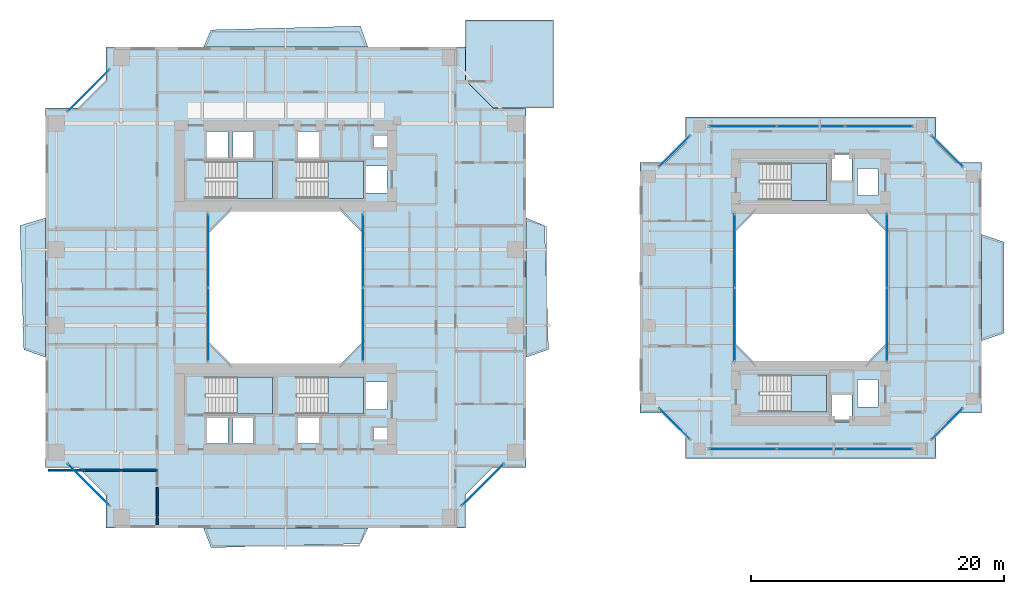
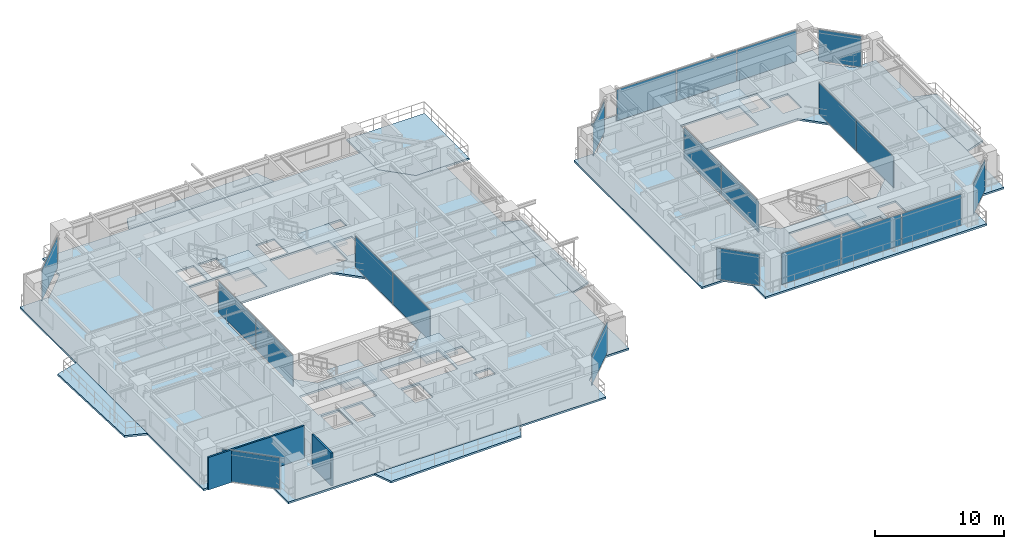
# One storey, part 11 of 23: 21 plates, 14 slabs, 2 walls, 19 elements without a shape of their own.
"""IFC4 building model written with IfcOpenShell, lengths in metres."""

from ifc_helpers import new_model, si_unit, direction, frame, frame_2d, origin, origin_2d, place, context, subcontext, project, spatial, polyline, rectangle, outline, extrude, source, transform, mapped, material, layer, layer_set, type_object, element, aggregate, save


model = new_model("IFC4")

# Units and contexts
model_context = context("Model", 3, precision=1e-05, world=origin(), true_north=direction((0.0, 1.0)))
body_context = subcontext(model_context, "Body", "Model", "MODEL_VIEW")
ifc_project = project(units=[si_unit("LENGTHUNIT", "METRE"), si_unit("AREAUNIT", "SQUARE_METRE"), si_unit("VOLUMEUNIT", "CUBIC_METRE"), si_unit("PLANEANGLEUNIT", "RADIAN"), si_unit("MASSUNIT", "GRAM", prefix="KILO"), si_unit("THERMODYNAMICTEMPERATUREUNIT", "KELVIN"), si_unit("POWERUNIT", "WATT")], contexts=[model_context])

# Site, building, storey
site_placement = place(None, origin())
site = spatial("IfcSite", under=ifc_project, at=site_placement, CompositionType="ELEMENT")
building_placement = place(site_placement, origin())
building = spatial("IfcBuilding", under=site, at=building_placement, Name="Qiaomeng Ring Towers", CompositionType="ELEMENT")
storey_placement = place(building_placement, frame((0.0, 0.0, 32.75)))
storey = spatial("IfcBuildingStorey", under=building, at=storey_placement, Name="L08", CompositionType="ELEMENT", Elevation=32.75)

# Slabs
ifc_material_1 = material(Name="Concrete C40", Category="concrete")
ifc_layer_1 = layer(ifc_material_1, 0.179931640625, Name="Concrete C40")
ifc_layer_set_1 = layer_set([ifc_layer_1], Name="Concrete C40")
slab_type_1 = type_object("IfcSlabType", Name="STR-SL-180", PredefinedType="FLOOR", material=ifc_layer_set_1)
slab_1_placement = place(storey_placement, frame((0.0, 0.0, -0.179931640625)))
element("IfcSlab", 1, at=slab_1_placement, inside=storey, type_object=slab_type_1, Name="L08 Tower 1 Annular Floor Slab", PredefinedType="FLOOR", context=body_context, shape_type="SweptSolid", body=[
    extrude(outline(polyline([(4.800048828125, 4.0), (33.199951171875, 4.0), (33.199951171875, 6.60009765625), (35.39990234375, 8.800048828125), (38.0, 8.800048828125), (38.0, 37.199951171875), (35.39990234375, 37.199951171875), (33.199951171875, 39.39990234375), (33.199951171875, 42.0), (4.800048828125, 42.0), (4.800048828125, 39.39990234375), (2.60009765625, 37.199951171875), (0.0, 37.199951171875), (0.0, 8.800048828125), (2.60009765625, 8.800048828125), (4.800048828125, 6.60009765625), (4.800048828125, 4.0)]), holes=[polyline([(12.780029296875, 10.679931640625), (12.780029296875, 12.820068359375), (14.419921875, 12.820068359375), (14.419921875, 10.679931640625), (12.780029296875, 10.679931640625)]), polyline([(14.830078125, 12.820068359375), (16.469970703125, 12.820068359375), (16.469970703125, 10.679931640625), (14.830078125, 10.679931640625), (14.830078125, 12.820068359375)]), polyline([(12.679931640625, 15.949951171875), (17.949951171875, 15.949951171875), (17.949951171875, 13.010009765625), (12.679931640625, 13.010009765625), (12.679931640625, 15.949951171875)]), polyline([(25.199951171875, 27.199951171875), (25.199951171875, 18.800048828125), (23.199951171875, 16.800048828125), (14.800048828125, 16.800048828125), (12.800048828125, 18.800048828125), (12.800048828125, 27.199951171875), (14.800048828125, 29.199951171875), (23.199951171875, 29.199951171875), (25.199951171875, 27.199951171875)]), polyline([(12.679931640625, 32.989990234375), (17.949951171875, 32.989990234375), (17.949951171875, 30.050048828125), (12.679931640625, 30.050048828125), (12.679931640625, 32.989990234375)]), polyline([(12.780029296875, 35.320068359375), (14.419921875, 35.320068359375), (14.419921875, 33.179931640625), (12.780029296875, 33.179931640625), (12.780029296875, 35.320068359375)]), polyline([(14.830078125, 35.320068359375), (16.469970703125, 35.320068359375), (16.469970703125, 33.179931640625), (14.830078125, 33.179931640625), (14.830078125, 35.320068359375)]), polyline([(19.97998046875, 35.320068359375), (21.6201171875, 35.320068359375), (21.6201171875, 33.179931640625), (19.97998046875, 33.179931640625), (19.97998046875, 35.320068359375)]), polyline([(25.919921875, 11.89990234375), (27.360107421875, 11.89990234375), (27.360107421875, 11.0), (25.919921875, 11.0), (25.919921875, 11.89990234375)]), polyline([(19.97998046875, 12.820068359375), (21.6201171875, 12.820068359375), (21.6201171875, 10.679931640625), (19.97998046875, 10.679931640625), (19.97998046875, 12.820068359375)]), polyline([(25.360107421875, 15.52001953125), (27.0, 15.52001953125), (27.0, 13.3798828125), (25.360107421875, 13.3798828125), (25.360107421875, 15.52001953125)]), polyline([(19.8798828125, 15.949951171875), (25.14990234375, 15.949951171875), (25.14990234375, 13.010009765625), (19.8798828125, 13.010009765625), (19.8798828125, 15.949951171875)]), polyline([(19.8798828125, 32.989990234375), (25.14990234375, 32.989990234375), (25.14990234375, 30.050048828125), (19.8798828125, 30.050048828125), (19.8798828125, 32.989990234375)]), polyline([(25.360107421875, 32.6201171875), (27.0, 32.6201171875), (27.0, 30.47998046875), (25.360107421875, 30.47998046875), (25.360107421875, 32.6201171875)]), polyline([(25.919921875, 35.0), (27.360107421875, 35.0), (27.360107421875, 34.10009765625), (25.919921875, 34.10009765625), (25.919921875, 35.0)])]), origin(), (0.0, 0.0, 1.0), 0.179931640625),
])
slab_2_placement = place(storey_placement, frame((0.0, 0.0, -0.179931640625)))
element("IfcSlab", 2, at=slab_2_placement, inside=storey, type_object=slab_type_1, Name="L08 Companion Tower 2 Annular Floor Slab", PredefinedType="FLOOR", context=body_context, shape_type="SweptSolid", body=[
    extrude(outline(polyline([(50.60009765625, 9.5), (70.39990234375, 9.5), (70.39990234375, 11.5), (72.0, 13.10009765625), (74.0, 13.10009765625), (74.0, 32.89990234375), (72.0, 32.89990234375), (70.39990234375, 34.5), (70.39990234375, 36.5), (50.60009765625, 36.5), (50.60009765625, 34.5), (49.0, 32.89990234375), (47.0, 32.89990234375), (47.0, 13.10009765625), (49.0, 13.10009765625), (50.60009765625, 11.5), (50.60009765625, 9.5)]), holes=[polyline([(62.1298828125, 12.3798828125), (62.1298828125, 14.52001953125), (63.77001953125, 14.52001953125), (63.77001953125, 12.3798828125), (62.1298828125, 12.3798828125)]), polyline([(56.47998046875, 13.159912109375), (56.47998046875, 16.10009765625), (61.75, 16.10009765625), (61.75, 13.159912109375), (56.47998046875, 13.159912109375)]), polyline([(64.179931640625, 13.580078125), (64.179931640625, 15.719970703125), (65.820068359375, 15.719970703125), (65.820068359375, 13.580078125), (64.179931640625, 13.580078125)]), polyline([(64.800048828125, 29.10009765625), (66.60009765625, 27.300048828125), (66.60009765625, 18.699951171875), (64.800048828125, 16.89990234375), (56.199951171875, 16.89990234375), (54.39990234375, 18.699951171875), (54.39990234375, 27.300048828125), (56.199951171875, 29.10009765625), (64.800048828125, 29.10009765625)]), polyline([(64.179931640625, 30.280029296875), (64.179931640625, 32.419921875), (65.820068359375, 32.419921875), (65.820068359375, 30.280029296875), (64.179931640625, 30.280029296875)]), polyline([(56.47998046875, 32.840087890625), (61.75, 32.840087890625), (61.75, 29.89990234375), (56.47998046875, 29.89990234375), (56.47998046875, 32.840087890625)]), polyline([(62.1298828125, 33.6201171875), (63.77001953125, 33.6201171875), (63.77001953125, 31.47998046875), (62.1298828125, 31.47998046875), (62.1298828125, 33.6201171875)])]), origin(), (0.0, 0.0, 1.0), 0.179931640625),
])
ifc_layer_2 = layer(ifc_material_1, 0.179931640625, Name="Concrete C40")
ifc_layer_set_2 = layer_set([ifc_layer_2], Name="Concrete C40")
slab_type_2 = type_object("IfcSlabType", Name="STR-SL-BAL", PredefinedType="FLOOR", material=ifc_layer_set_2)
slab_3_placement = place(storey_placement, frame((0.0, 0.0, -0.179931640625)))
element("IfcSlab", 3, at=slab_3_placement, inside=storey, type_object=slab_type_2, Name="L08 Tower 1 S Faceted Balcony Slab", PredefinedType="FLOOR", context=body_context, shape_type="SweptSolid", body=[
    extrude(outline(polyline([(24.89990234375, 2.75), (13.10009765625, 2.449951171875), (12.5, 4.0), (25.5, 4.0), (24.89990234375, 2.75)])), origin(), (0.0, 0.0, 1.0), 0.179931640625),
])
slab_4_placement = place(storey_placement, frame((0.0, 0.0, -0.179931640625)))
element("IfcSlab", 4, at=slab_4_placement, inside=storey, type_object=slab_type_2, Name="L08 Tower 1 E Faceted Balcony Slab", PredefinedType="FLOOR", context=body_context, shape_type="SweptSolid", body=[
    extrude(outline(polyline([(39.469970703125, 27.89990234375), (39.77001953125, 18.10009765625), (38.0, 17.5), (38.0, 28.5), (39.469970703125, 27.89990234375)])), origin(), (0.0, 0.0, 1.0), 0.179931640625),
])
slab_5_placement = place(storey_placement, frame((0.0, 0.0, -0.179931640625)))
element("IfcSlab", 5, at=slab_5_placement, inside=storey, type_object=slab_type_2, Name="L08 Tower 1 N Faceted Balcony Slab", PredefinedType="FLOOR", context=body_context, shape_type="SweptSolid", body=[
    extrude(outline(polyline([(12.5, 42.0), (13.10009765625, 43.3701171875), (24.89990234375, 43.669921875), (25.5, 42.0), (12.5, 42.0)])), origin(), (0.0, 0.0, 1.0), 0.179931640625),
])
slab_6_placement = place(storey_placement, frame((0.0, 0.0, -0.179931640625)))
element("IfcSlab", 6, at=slab_6_placement, inside=storey, type_object=slab_type_2, Name="L08 Tower 1 W Faceted Balcony Slab", PredefinedType="FLOOR", context=body_context, shape_type="SweptSolid", body=[
    extrude(outline(polyline([(0.0, 17.5), (-1.699951171875, 18.10009765625), (-2.0, 27.89990234375), (0.0, 28.5), (0.0, 17.5)])), origin(), (0.0, 0.0, 1.0), 0.179931640625),
])
slab_7_placement = place(storey_placement, frame((0.0, 0.0, -0.179931640625)))
element("IfcSlab", 7, at=slab_7_placement, inside=storey, type_object=slab_type_2, Name="L08 Companion East Faceted Balcony Slab", PredefinedType="FLOOR", context=body_context, shape_type="SweptSolid", body=[
    extrude(outline(polyline([(75.77001953125, 26.60009765625), (75.77001953125, 19.39990234375), (74.0, 18.800048828125), (74.0, 27.199951171875), (75.77001953125, 26.60009765625)])), origin(), (0.0, 0.0, 1.0), 0.179931640625),
])

# Stair, slab
ifc_material_2 = material(Name="Precast concrete C40", Category="concrete")
stair_type = type_object("IfcStairType", Name="ARC-ST-325", PredefinedType="HALF_TURN_STAIR", material=ifc_material_2)
stair_1_placement = place(storey_placement, origin())
stair_1 = element("IfcStair", 8, at=stair_1_placement, inside=storey, type_object=stair_type, Name="L08 Tower 1 North Stair 1", PredefinedType="HALF_TURN_STAIR")
ifc_layer_3 = layer(ifc_material_1, 0.199951171875, Name="Concrete C40")
ifc_layer_set_3 = layer_set([ifc_layer_3], Name="Concrete C40")
slab_type_3 = type_object("IfcSlabType", Name="STR-SL-LANDING", PredefinedType="LANDING", material=ifc_layer_set_3)
slab_8_placement = place(storey_placement, frame((0.0, 0.0, 1.425048828125)))
slab_8 = element("IfcSlab", 9, at=slab_8_placement, type_object=slab_type_3, Name="ST1 landing 1", PredefinedType="LANDING", context=body_context, shape_type="SweptSolid", body=[
    extrude(outline(polyline([(15.139892578125, 30.050048828125), (17.949951171875, 30.050048828125), (17.949951171875, 32.989990234375), (15.139892578125, 32.989990234375), (15.139892578125, 30.050048828125)])), origin(), (0.0, 0.0, 1.0), 0.199951171875),
])
aggregate(stair_1, [slab_8])

stair_2_placement = place(storey_placement, origin())
stair_2 = element("IfcStair", 10, at=stair_2_placement, inside=storey, type_object=stair_type, Name="L08 Tower 1 North Stair 2", PredefinedType="HALF_TURN_STAIR")
slab_9_placement = place(storey_placement, frame((0.0, 0.0, 1.425048828125)))
slab_9 = element("IfcSlab", 11, at=slab_9_placement, type_object=slab_type_3, Name="ST2 landing 1", PredefinedType="LANDING", context=body_context, shape_type="SweptSolid", body=[
    extrude(outline(polyline([(22.340087890625, 30.050048828125), (25.14990234375, 30.050048828125), (25.14990234375, 32.989990234375), (22.340087890625, 32.989990234375), (22.340087890625, 30.050048828125)])), origin(), (0.0, 0.0, 1.0), 0.199951171875),
])
aggregate(stair_2, [slab_9])

stair_3_placement = place(storey_placement, origin())
stair_3 = element("IfcStair", 12, at=stair_3_placement, inside=storey, type_object=stair_type, Name="L08 Tower 1 South Stair 3", PredefinedType="HALF_TURN_STAIR")
slab_10_placement = place(storey_placement, frame((0.0, 0.0, 1.425048828125)))
slab_10 = element("IfcSlab", 13, at=slab_10_placement, type_object=slab_type_3, Name="ST3 landing 1", PredefinedType="LANDING", context=body_context, shape_type="SweptSolid", body=[
    extrude(outline(polyline([(15.139892578125, 13.010009765625), (17.949951171875, 13.010009765625), (17.949951171875, 15.949951171875), (15.139892578125, 15.949951171875), (15.139892578125, 13.010009765625)])), origin(), (0.0, 0.0, 1.0), 0.199951171875),
])
aggregate(stair_3, [slab_10])

stair_4_placement = place(storey_placement, origin())
stair_4 = element("IfcStair", 14, at=stair_4_placement, inside=storey, type_object=stair_type, Name="L08 Tower 1 South Stair 4", PredefinedType="HALF_TURN_STAIR")
slab_11_placement = place(storey_placement, frame((0.0, 0.0, 1.425048828125)))
slab_11 = element("IfcSlab", 15, at=slab_11_placement, type_object=slab_type_3, Name="ST4 landing 1", PredefinedType="LANDING", context=body_context, shape_type="SweptSolid", body=[
    extrude(outline(polyline([(22.340087890625, 13.010009765625), (25.14990234375, 13.010009765625), (25.14990234375, 15.949951171875), (22.340087890625, 15.949951171875), (22.340087890625, 13.010009765625)])), origin(), (0.0, 0.0, 1.0), 0.199951171875),
])
aggregate(stair_4, [slab_11])

stair_5_placement = place(storey_placement, origin())
stair_5 = element("IfcStair", 16, at=stair_5_placement, inside=storey, type_object=stair_type, Name="L08 Companion North Stair 5", PredefinedType="HALF_TURN_STAIR")
slab_12_placement = place(storey_placement, frame((0.0, 0.0, 1.425048828125)))
slab_12 = element("IfcSlab", 17, at=slab_12_placement, type_object=slab_type_3, Name="ST5 landing 1", PredefinedType="LANDING", context=body_context, shape_type="SweptSolid", body=[
    extrude(outline(polyline([(58.93994140625, 29.89990234375), (61.75, 29.89990234375), (61.75, 32.840087890625), (58.93994140625, 32.840087890625), (58.93994140625, 29.89990234375)])), origin(), (0.0, 0.0, 1.0), 0.199951171875),
])
aggregate(stair_5, [slab_12])

stair_6_placement = place(storey_placement, origin())
stair_6 = element("IfcStair", 18, at=stair_6_placement, inside=storey, type_object=stair_type, Name="L08 Companion South Stair 6", PredefinedType="HALF_TURN_STAIR")
slab_13_placement = place(storey_placement, frame((0.0, 0.0, 1.425048828125)))
slab_13 = element("IfcSlab", 19, at=slab_13_placement, type_object=slab_type_3, Name="ST6 landing 1", PredefinedType="LANDING", context=body_context, shape_type="SweptSolid", body=[
    extrude(outline(polyline([(58.93994140625, 13.159912109375), (61.75, 13.159912109375), (61.75, 16.10009765625), (58.93994140625, 16.10009765625), (58.93994140625, 13.159912109375)])), origin(), (0.0, 0.0, 1.0), 0.199951171875),
])
aggregate(stair_6, [slab_13])

# Slab
ifc_layer_4 = layer(ifc_material_1, 0.179931640625, Name="Concrete C40")
ifc_layer_set_4 = layer_set([ifc_layer_4], Name="Concrete C40")
slab_type_4 = type_object("IfcSlabType", Name="STR-SL-TERR180", PredefinedType="FLOOR", material=ifc_layer_set_4)
slab_14_placement = place(storey_placement, frame((0.0, 0.0, -0.179931640625)))
element("IfcSlab", 20, at=slab_14_placement, inside=storey, type_object=slab_type_4, Name="L08 Spiralling Corner Sky Terrace NE", PredefinedType="FLOOR", context=body_context, shape_type="SweptSolid", body=[
    extrude(outline(polyline([(33.199951171875, 44.14990234375), (40.14990234375, 44.14990234375), (40.14990234375, 37.199951171875), (38.0, 37.199951171875), (35.39990234375, 37.199951171875), (33.199951171875, 39.39990234375), (33.199951171875, 42.0), (33.199951171875, 44.14990234375)])), origin(), (0.0, 0.0, 1.0), 0.179931640625),
])

# Curtain wall, plates
ifc_material_3 = material(Name="Fluorocarbon dark-grey aluminium", Category="aluminium")
ifc_layer_5 = layer(ifc_material_3, 0.139892578125, Name="Fluorocarbon dark-grey aluminium")
ifc_layer_set_5 = layer_set([ifc_layer_5], Name="Fluorocarbon dark-grey aluminium")
curtain_wall_type_1 = type_object("IfcCurtainWallType", Name="ARC-CW-4", PredefinedType="NOTDEFINED", material=ifc_layer_set_5)
curtain_wall_1_placement = place(storey_placement, origin())
curtain_wall_1 = element("IfcCurtainWall", 21, at=curtain_wall_1_placement, inside=storey, type_object=curtain_wall_type_1, Name="L08 Curtain Wall CW4", PredefinedType="NOTDEFINED")
ifc_material_4 = material(Name="Low-E dark-grey laminated double glazing", Category="glass")
ifc_layer_6 = layer(ifc_material_4, 0.028076171875, Name="Low-E dark-grey laminated double glazing")
ifc_layer_set_6 = layer_set([ifc_layer_6], Name="Low-E dark-grey laminated double glazing")
plate_type = type_object("IfcPlateType", Name="ARC-CWP-DARK", PredefinedType="CURTAIN_PANEL", material=ifc_layer_set_6)
shared_shape_1 = source(origin(), body_context, "Body", "SweptSolid", [
    extrude(rectangle(XDim=5.75244140625, YDim=0.028076171875, at=origin_2d()), origin(), (0.0, 0.0, 1.0), 2.93994140625),
])
plate_1_placement = place(storey_placement, frame((12.8798828125, 20.09130859375, 0.06494140625), z_axis=(0.0, 0.0, 1.0), x_axis=(0.0, 1.0, 0.0)))
plate_1 = element("IfcPlate", 22, at=plate_1_placement, type_object=plate_type, Name="CW4 panel 1.1", PredefinedType="CURTAIN_PANEL", context=body_context, shape_type="MappedRepresentation", body=[
    mapped(shared_shape_1, transform((0.0, 0.0, 0.0), x_axis=(1.0, 0.0, 0.0), y_axis=(0.0, 1.0, 0.0), z_axis=(0.0, 0.0, 1.0), scale=1.0)),
])
plate_2_placement = place(storey_placement, frame((12.8798828125, 25.90869140625, 0.06494140625), z_axis=(0.0, 0.0, 1.0), x_axis=(0.0, 1.0, 0.0)))
plate_2 = element("IfcPlate", 23, at=plate_2_placement, type_object=plate_type, Name="CW4 panel 2.1", PredefinedType="CURTAIN_PANEL", context=body_context, shape_type="MappedRepresentation", body=[
    mapped(shared_shape_1, transform((0.0, 0.0, 0.0), x_axis=(1.0, 0.0, 0.0), y_axis=(0.0, 1.0, 0.0), z_axis=(0.0, 0.0, 1.0), scale=1.0)),
])
aggregate(curtain_wall_1, [plate_1, plate_2])

curtain_wall_2_placement = place(storey_placement, origin())
curtain_wall_2 = element("IfcCurtainWall", 24, at=curtain_wall_2_placement, inside=storey, type_object=curtain_wall_type_1, Name="L08 Curtain Wall CW4", PredefinedType="NOTDEFINED")
plate_3_placement = place(storey_placement, frame((25.1201171875, 20.09130859375, 0.06494140625), z_axis=(0.0, 0.0, 1.0), x_axis=(0.0, 1.0, 0.0)))
plate_3 = element("IfcPlate", 25, at=plate_3_placement, type_object=plate_type, Name="CW4 panel 1.1", PredefinedType="CURTAIN_PANEL", context=body_context, shape_type="MappedRepresentation", body=[
    mapped(shared_shape_1, transform((0.0, 0.0, 0.0), x_axis=(1.0, 0.0, 0.0), y_axis=(0.0, 1.0, 0.0), z_axis=(0.0, 0.0, 1.0), scale=1.0)),
])
plate_4_placement = place(storey_placement, frame((25.1201171875, 25.90869140625, 0.06494140625), z_axis=(0.0, 0.0, 1.0), x_axis=(0.0, 1.0, 0.0)))
plate_4 = element("IfcPlate", 26, at=plate_4_placement, type_object=plate_type, Name="CW4 panel 2.1", PredefinedType="CURTAIN_PANEL", context=body_context, shape_type="MappedRepresentation", body=[
    mapped(shared_shape_1, transform((0.0, 0.0, 0.0), x_axis=(1.0, 0.0, 0.0), y_axis=(0.0, 1.0, 0.0), z_axis=(0.0, 0.0, 1.0), scale=1.0)),
])
aggregate(curtain_wall_2, [plate_3, plate_4])

curtain_wall_3_placement = place(storey_placement, origin())
curtain_wall_3 = element("IfcCurtainWall", 27, at=curtain_wall_3_placement, inside=storey, type_object=curtain_wall_type_1, Name="L08 Curtain Wall CW4", PredefinedType="NOTDEFINED")
plate_5_placement = place(storey_placement, frame((54.47998046875, 20.09130859375, 0.06494140625), z_axis=(0.0, 0.0, 1.0), x_axis=(0.0, 1.0, 0.0)))
plate_5 = element("IfcPlate", 28, at=plate_5_placement, type_object=plate_type, Name="CW4 panel 1.1", PredefinedType="CURTAIN_PANEL", context=body_context, shape_type="MappedRepresentation", body=[
    mapped(shared_shape_1, transform((0.0, 0.0, 0.0), x_axis=(1.0, 0.0, 0.0), y_axis=(0.0, 1.0, 0.0), z_axis=(0.0, 0.0, 1.0), scale=1.0)),
])
plate_6_placement = place(storey_placement, frame((54.47998046875, 25.90869140625, 0.06494140625), z_axis=(0.0, 0.0, 1.0), x_axis=(0.0, 1.0, 0.0)))
plate_6 = element("IfcPlate", 29, at=plate_6_placement, type_object=plate_type, Name="CW4 panel 2.1", PredefinedType="CURTAIN_PANEL", context=body_context, shape_type="MappedRepresentation", body=[
    mapped(shared_shape_1, transform((0.0, 0.0, 0.0), x_axis=(1.0, 0.0, 0.0), y_axis=(0.0, 1.0, 0.0), z_axis=(0.0, 0.0, 1.0), scale=1.0)),
])
aggregate(curtain_wall_3, [plate_5, plate_6])

curtain_wall_4_placement = place(storey_placement, origin())
curtain_wall_4 = element("IfcCurtainWall", 30, at=curtain_wall_4_placement, inside=storey, type_object=curtain_wall_type_1, Name="L08 Curtain Wall CW4", PredefinedType="NOTDEFINED")
plate_7_placement = place(storey_placement, frame((66.52001953125, 20.09130859375, 0.06494140625), z_axis=(0.0, 0.0, 1.0), x_axis=(0.0, 1.0, 0.0)))
plate_7 = element("IfcPlate", 31, at=plate_7_placement, type_object=plate_type, Name="CW4 panel 1.1", PredefinedType="CURTAIN_PANEL", context=body_context, shape_type="MappedRepresentation", body=[
    mapped(shared_shape_1, transform((0.0, 0.0, 0.0), x_axis=(1.0, 0.0, 0.0), y_axis=(0.0, 1.0, 0.0), z_axis=(0.0, 0.0, 1.0), scale=1.0)),
])
plate_8_placement = place(storey_placement, frame((66.52001953125, 25.90869140625, 0.06494140625), z_axis=(0.0, 0.0, 1.0), x_axis=(0.0, 1.0, 0.0)))
plate_8 = element("IfcPlate", 32, at=plate_8_placement, type_object=plate_type, Name="CW4 panel 2.1", PredefinedType="CURTAIN_PANEL", context=body_context, shape_type="MappedRepresentation", body=[
    mapped(shared_shape_1, transform((0.0, 0.0, 0.0), x_axis=(1.0, 0.0, 0.0), y_axis=(0.0, 1.0, 0.0), z_axis=(0.0, 0.0, 1.0), scale=1.0)),
])
aggregate(curtain_wall_4, [plate_7, plate_8])

# Curtain wall, plate
ifc_layer_7 = layer(ifc_material_3, 0.159912109375, Name="Fluorocarbon dark-grey aluminium")
ifc_layer_set_7 = layer_set([ifc_layer_7], Name="Fluorocarbon dark-grey aluminium")
curtain_wall_type_2 = type_object("IfcCurtainWallType", Name="ARC-CW-2", PredefinedType="NOTDEFINED", material=ifc_layer_set_7)
curtain_wall_5_placement = place(storey_placement, origin())
curtain_wall_5 = element("IfcCurtainWall", 33, at=curtain_wall_5_placement, inside=storey, type_object=curtain_wall_type_2, Name="L08 Curtain Wall CW2", PredefinedType="NOTDEFINED")
shared_shape_2 = source(origin(), body_context, "Body", "SweptSolid", [
    extrude(rectangle(XDim=4.6259765625, YDim=0.028076171875, at=origin_2d()), origin(), (0.0, 0.0, 1.0), 2.93994140625),
])
plate_9_placement = place(storey_placement, frame((34.574951171875, 7.425048828125, 0.06494140625), z_axis=(0.0, 0.0, 1.0), x_axis=(0.707106781187, 0.707106781187, 0.0)))
plate_9 = element("IfcPlate", 34, at=plate_9_placement, type_object=plate_type, Name="CW2 panel 1.1", PredefinedType="CURTAIN_PANEL", context=body_context, shape_type="MappedRepresentation", body=[
    mapped(shared_shape_2, transform((0.0, 0.0, 0.0), x_axis=(1.0, 0.0, 0.0), y_axis=(0.0, 1.0, 0.0), z_axis=(0.0, 0.0, 1.0), scale=1.0)),
])
aggregate(curtain_wall_5, [plate_9])

curtain_wall_6_placement = place(storey_placement, origin())
curtain_wall_6 = element("IfcCurtainWall", 35, at=curtain_wall_6_placement, inside=storey, type_object=curtain_wall_type_2, Name="L08 Curtain Wall CW2", PredefinedType="NOTDEFINED")
plate_10_placement = place(storey_placement, frame((3.425048828125, 38.574951171875, 0.06494140625), z_axis=(0.0, 0.0, 1.0), x_axis=(-0.707106781187, -0.707106781187, 0.0)))
plate_10 = element("IfcPlate", 36, at=plate_10_placement, type_object=plate_type, Name="CW2 panel 1.1", PredefinedType="CURTAIN_PANEL", context=body_context, shape_type="MappedRepresentation", body=[
    mapped(shared_shape_2, transform((0.0, 0.0, 0.0), x_axis=(1.0, 0.0, 0.0), y_axis=(0.0, 1.0, 0.0), z_axis=(0.0, 0.0, 1.0), scale=1.0)),
])
aggregate(curtain_wall_6, [plate_10])

curtain_wall_7_placement = place(storey_placement, origin())
curtain_wall_7 = element("IfcCurtainWall", 37, at=curtain_wall_7_placement, inside=storey, type_object=curtain_wall_type_2, Name="L08 Curtain Wall CW2", PredefinedType="NOTDEFINED")
plate_11_placement = place(storey_placement, frame((3.425048828125, 7.425048828125, 0.06494140625), z_axis=(0.0, 0.0, 1.0), x_axis=(0.707106781187, -0.707106781187, 0.0)))
plate_11 = element("IfcPlate", 38, at=plate_11_placement, type_object=plate_type, Name="CW2 panel 1.1", PredefinedType="CURTAIN_PANEL", context=body_context, shape_type="MappedRepresentation", body=[
    mapped(shared_shape_2, transform((0.0, 0.0, 0.0), x_axis=(1.0, 0.0, 0.0), y_axis=(0.0, 1.0, 0.0), z_axis=(0.0, 0.0, 1.0), scale=1.0)),
])
aggregate(curtain_wall_7, [plate_11])

# Curtain wall, plates
ifc_layer_8 = layer(ifc_material_3, 0.14990234375, Name="Fluorocarbon dark-grey aluminium")
ifc_layer_set_8 = layer_set([ifc_layer_8], Name="Fluorocarbon dark-grey aluminium")
curtain_wall_type_3 = type_object("IfcCurtainWallType", Name="ARC-CW-5", PredefinedType="NOTDEFINED", material=ifc_layer_set_8)
curtain_wall_8_placement = place(storey_placement, origin())
curtain_wall_8 = element("IfcCurtainWall", 39, at=curtain_wall_8_placement, inside=storey, type_object=curtain_wall_type_3, Name="L08 Curtain Wall CW5", PredefinedType="NOTDEFINED")
shared_shape_3 = source(origin(), body_context, "Body", "SweptSolid", [
    extrude(rectangle(XDim=5.284912109375, YDim=0.028076171875, at=origin_2d()), origin(), (0.0, 0.0, 1.0), 2.93994140625),
])
plate_12_placement = place(storey_placement, frame((55.12744140625, 35.75, 0.06494140625), z_axis=(0.0, 0.0, 1.0), x_axis=(1.0, 0.0, 0.0)))
plate_12 = element("IfcPlate", 40, at=plate_12_placement, type_object=plate_type, Name="CW5 panel 1.1", PredefinedType="CURTAIN_PANEL", context=body_context, shape_type="MappedRepresentation", body=[
    mapped(shared_shape_3, transform((0.0, 0.0, 0.0), x_axis=(1.0, 0.0, 0.0), y_axis=(0.0, 1.0, 0.0), z_axis=(0.0, 0.0, 1.0), scale=1.0)),
])
plate_13_placement = place(storey_placement, frame((65.87255859375, 35.75, 0.06494140625), z_axis=(0.0, 0.0, 1.0), x_axis=(1.0, 0.0, 0.0)))
plate_13 = element("IfcPlate", 41, at=plate_13_placement, type_object=plate_type, Name="CW5 panel 3.1", PredefinedType="CURTAIN_PANEL", context=body_context, shape_type="MappedRepresentation", body=[
    mapped(shared_shape_3, transform((0.0, 0.0, 0.0), x_axis=(1.0, 0.0, 0.0), y_axis=(0.0, 1.0, 0.0), z_axis=(0.0, 0.0, 1.0), scale=1.0)),
])

curtain_wall_9_placement = place(storey_placement, origin())
curtain_wall_9 = element("IfcCurtainWall", 42, at=curtain_wall_9_placement, inside=storey, type_object=curtain_wall_type_3, Name="L08 Curtain Wall CW5", PredefinedType="NOTDEFINED")
plate_14_placement = place(storey_placement, frame((55.12744140625, 10.25, 0.06494140625), z_axis=(0.0, 0.0, 1.0), x_axis=(1.0, 0.0, 0.0)))
plate_14 = element("IfcPlate", 43, at=plate_14_placement, type_object=plate_type, Name="CW5 panel 1.1", PredefinedType="CURTAIN_PANEL", context=body_context, shape_type="MappedRepresentation", body=[
    mapped(shared_shape_3, transform((0.0, 0.0, 0.0), x_axis=(1.0, 0.0, 0.0), y_axis=(0.0, 1.0, 0.0), z_axis=(0.0, 0.0, 1.0), scale=1.0)),
])
plate_15_placement = place(storey_placement, frame((65.87255859375, 10.25, 0.06494140625), z_axis=(0.0, 0.0, 1.0), x_axis=(1.0, 0.0, 0.0)))
plate_15 = element("IfcPlate", 44, at=plate_15_placement, type_object=plate_type, Name="CW5 panel 3.1", PredefinedType="CURTAIN_PANEL", context=body_context, shape_type="MappedRepresentation", body=[
    mapped(shared_shape_3, transform((0.0, 0.0, 0.0), x_axis=(1.0, 0.0, 0.0), y_axis=(0.0, 1.0, 0.0), z_axis=(0.0, 0.0, 1.0), scale=1.0)),
])

# Plate
shared_shape_4 = source(origin(), body_context, "Body", "SweptSolid", [
    extrude(rectangle(XDim=5.320068359375, YDim=0.028076171875, at=origin_2d()), origin(), (0.0, 0.0, 1.0), 2.93994140625),
])
plate_16_placement = place(storey_placement, frame((60.5, 35.75, 0.06494140625), z_axis=(0.0, 0.0, 1.0), x_axis=(1.0, 0.0, 0.0)))
plate_16 = element("IfcPlate", 45, at=plate_16_placement, type_object=plate_type, Name="CW5 panel 2.1", PredefinedType="CURTAIN_PANEL", context=body_context, shape_type="MappedRepresentation", body=[
    mapped(shared_shape_4, transform((0.0, 0.0, 0.0), x_axis=(1.0, 0.0, 0.0), y_axis=(0.0, 1.0, 0.0), z_axis=(0.0, 0.0, 1.0), scale=1.0)),
])

aggregate(curtain_wall_8, [plate_12, plate_16, plate_13])

plate_17_placement = place(storey_placement, frame((60.5, 10.25, 0.06494140625), z_axis=(0.0, 0.0, 1.0), x_axis=(1.0, 0.0, 0.0)))
plate_17 = element("IfcPlate", 46, at=plate_17_placement, type_object=plate_type, Name="CW5 panel 2.1", PredefinedType="CURTAIN_PANEL", context=body_context, shape_type="MappedRepresentation", body=[
    mapped(shared_shape_4, transform((0.0, 0.0, 0.0), x_axis=(1.0, 0.0, 0.0), y_axis=(0.0, 1.0, 0.0), z_axis=(0.0, 0.0, 1.0), scale=1.0)),
])

aggregate(curtain_wall_9, [plate_14, plate_17, plate_15])

# Curtain wall, plate
curtain_wall_10_placement = place(storey_placement, origin())
curtain_wall_10 = element("IfcCurtainWall", 47, at=curtain_wall_10_placement, inside=storey, type_object=curtain_wall_type_3, Name="L08 Curtain Wall CW5", PredefinedType="NOTDEFINED")
shared_shape_5 = source(origin(), body_context, "Body", "SweptSolid", [
    extrude(rectangle(XDim=3.423828125, YDim=0.028076171875, at=origin_2d()), origin(), (0.0, 0.0, 1.0), 2.93994140625),
])
plate_18_placement = place(storey_placement, frame((71.27490234375, 12.22509765625, 0.06494140625), z_axis=(0.0, 0.0, 1.0), x_axis=(0.707106781187, 0.707106781187, 0.0)))
plate_18 = element("IfcPlate", 48, at=plate_18_placement, type_object=plate_type, Name="CW5 panel 1.1", PredefinedType="CURTAIN_PANEL", context=body_context, shape_type="MappedRepresentation", body=[
    mapped(shared_shape_5, transform((0.0, 0.0, 0.0), x_axis=(1.0, 0.0, 0.0), y_axis=(0.0, 1.0, 0.0), z_axis=(0.0, 0.0, 1.0), scale=1.0)),
])
aggregate(curtain_wall_10, [plate_18])

curtain_wall_11_placement = place(storey_placement, origin())
curtain_wall_11 = element("IfcCurtainWall", 49, at=curtain_wall_11_placement, inside=storey, type_object=curtain_wall_type_3, Name="L08 Curtain Wall CW5", PredefinedType="NOTDEFINED")
plate_19_placement = place(storey_placement, frame((71.27490234375, 33.77490234375, 0.06494140625), z_axis=(0.0, 0.0, 1.0), x_axis=(-0.707106781187, 0.707106781187, 0.0)))
plate_19 = element("IfcPlate", 50, at=plate_19_placement, type_object=plate_type, Name="CW5 panel 1.1", PredefinedType="CURTAIN_PANEL", context=body_context, shape_type="MappedRepresentation", body=[
    mapped(shared_shape_5, transform((0.0, 0.0, 0.0), x_axis=(1.0, 0.0, 0.0), y_axis=(0.0, 1.0, 0.0), z_axis=(0.0, 0.0, 1.0), scale=1.0)),
])
aggregate(curtain_wall_11, [plate_19])

curtain_wall_12_placement = place(storey_placement, origin())
curtain_wall_12 = element("IfcCurtainWall", 51, at=curtain_wall_12_placement, inside=storey, type_object=curtain_wall_type_3, Name="L08 Curtain Wall CW5", PredefinedType="NOTDEFINED")
plate_20_placement = place(storey_placement, frame((49.72509765625, 33.77490234375, 0.06494140625), z_axis=(0.0, 0.0, 1.0), x_axis=(-0.707106781187, -0.707106781187, 0.0)))
plate_20 = element("IfcPlate", 52, at=plate_20_placement, type_object=plate_type, Name="CW5 panel 1.1", PredefinedType="CURTAIN_PANEL", context=body_context, shape_type="MappedRepresentation", body=[
    mapped(shared_shape_5, transform((0.0, 0.0, 0.0), x_axis=(1.0, 0.0, 0.0), y_axis=(0.0, 1.0, 0.0), z_axis=(0.0, 0.0, 1.0), scale=1.0)),
])
aggregate(curtain_wall_12, [plate_20])

curtain_wall_13_placement = place(storey_placement, origin())
curtain_wall_13 = element("IfcCurtainWall", 53, at=curtain_wall_13_placement, inside=storey, type_object=curtain_wall_type_3, Name="L08 Curtain Wall CW5", PredefinedType="NOTDEFINED")
plate_21_placement = place(storey_placement, frame((49.72509765625, 12.22509765625, 0.06494140625), z_axis=(0.0, 0.0, 1.0), x_axis=(0.707106781187, -0.707106781187, 0.0)))
plate_21 = element("IfcPlate", 54, at=plate_21_placement, type_object=plate_type, Name="CW5 panel 1.1", PredefinedType="CURTAIN_PANEL", context=body_context, shape_type="MappedRepresentation", body=[
    mapped(shared_shape_5, transform((0.0, 0.0, 0.0), x_axis=(1.0, 0.0, 0.0), y_axis=(0.0, 1.0, 0.0), z_axis=(0.0, 0.0, 1.0), scale=1.0)),
])
aggregate(curtain_wall_13, [plate_21])

# Walls
ifc_material_5 = material(Name="Gypsum fireboard steel-stud partition", Category="steel")
ifc_layer_9 = layer(ifc_material_5, 0.14990234375, Name="Gypsum fireboard steel-stud partition")
ifc_layer_set_9 = layer_set([ifc_layer_9], Name="Gypsum fireboard steel-stud partition")
wall_type = type_object("IfcWallType", Name="ARC-WL-PW3", PredefinedType="PARTITIONING", material=ifc_layer_set_9)
wall_1_placement = place(storey_placement, frame((8.85009765625, 4.25, 0.0), z_axis=(0.0, 0.0, 1.0), x_axis=(0.0, 1.0, 0.0)))
element("IfcWall", 55, at=wall_1_placement, inside=storey, type_object=wall_type, Name="L08 Interior Wall PW3", PredefinedType="PARTITIONING", context=body_context, shape_type="SweptSolid", body=[
    extrude(rectangle(XDim=2.9599609375, YDim=0.14990234375, at=frame_2d((1.47998046875, 0.0))), origin(), (0.0, 0.0, 1.0), 3.070068359375),
])
wall_2_placement = place(storey_placement, frame((0.25, 8.570068359375, 0.0), z_axis=(0.0, 0.0, 1.0), x_axis=(1.0, 0.0, 0.0)))
element("IfcWall", 56, at=wall_2_placement, inside=storey, type_object=wall_type, Name="L08 Interior Wall PW3", PredefinedType="PARTITIONING", context=body_context, shape_type="SweptSolid", body=[
    extrude(rectangle(XDim=8.60009765625, YDim=0.14990234375, at=frame_2d((4.300048828125, 0.0))), origin(), (0.0, 0.0, 1.0), 3.070068359375),
])

save(model, "model.ifc")
